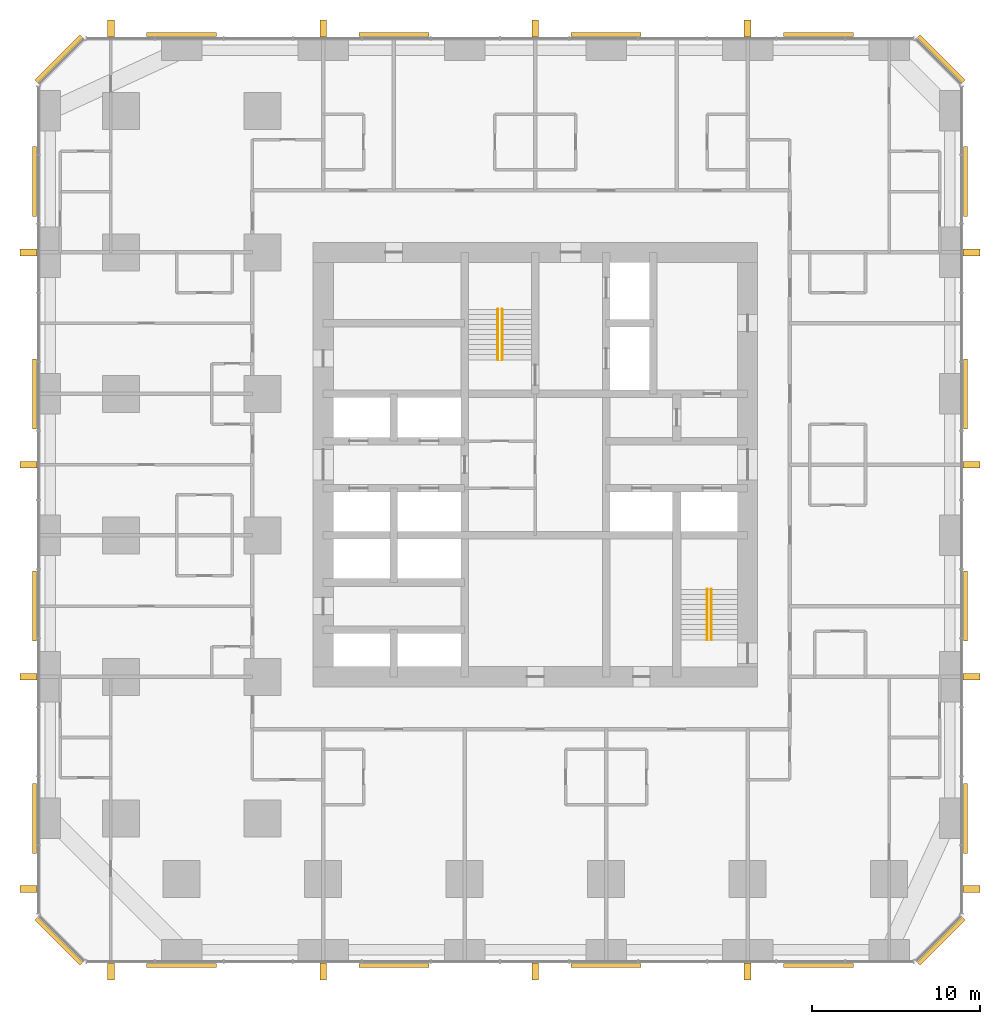
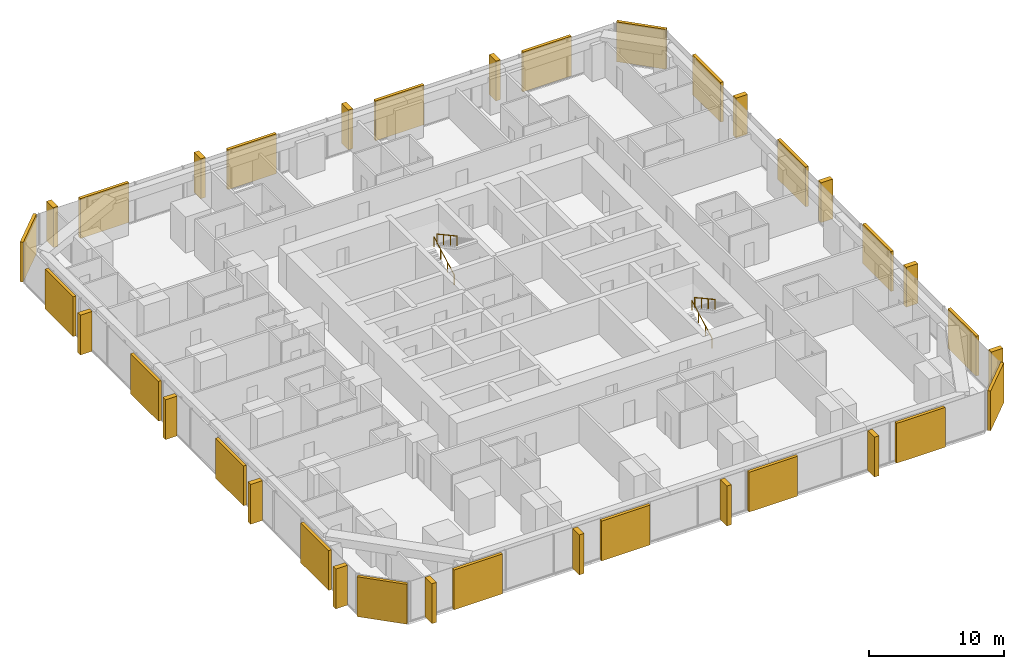
# One storey, part 13 of 13: 20 coverings, 16 shading devices, 4 railings.
"""IFC4 building model written with IfcOpenShell, lengths in metres."""

from ifc_helpers import new_model, si_unit, direction, frame, origin, origin_2d, place, context, subcontext, project, spatial, rectangle, circle, extrude, material, layer, layer_set, type_object, element, save


model = new_model("IFC4")

# Units and contexts
model_context = context("Model", 3, precision=1e-05, world=origin(), true_north=direction((0.0, 1.0)))
body_context = subcontext(model_context, "Body", "Model", "MODEL_VIEW")
ifc_project = project(units=[si_unit("LENGTHUNIT", "METRE"), si_unit("AREAUNIT", "SQUARE_METRE"), si_unit("VOLUMEUNIT", "CUBIC_METRE"), si_unit("PLANEANGLEUNIT", "RADIAN"), si_unit("MASSUNIT", "GRAM", prefix="KILO")], contexts=[model_context])

# Site, building, storey
site_placement = place(None, origin())
site = spatial("IfcSite", under=ifc_project, at=site_placement, CompositionType="ELEMENT")
building_placement = place(site_placement, origin())
building = spatial("IfcBuilding", under=site, at=building_placement, Name="Dunama Terrace Hotel", CompositionType="ELEMENT")
storey_placement = place(building_placement, frame((0.0, 0.0, 97.199951171875)))
storey = spatial("IfcBuildingStorey", under=building, at=storey_placement, Name="L24", CompositionType="ELEMENT", Elevation=97.199951171875)

# Railings
ifc_material_1 = material(Name="Stainless steel handrail", Category="steel")
railing_type = type_object("IfcRailingType", Name="Stair handrail 900", PredefinedType="HANDRAIL", material=ifc_material_1)
railing_1_placement = place(storey_placement, frame((27.175048828125, 35.625, 0.16357421875)))
element("IfcRailing", 1, at=railing_1_placement, inside=storey, type_object=railing_type, Name="Handrail ST1 L24", PredefinedType="HANDRAIL", context=body_context, shape_type="SweptSolid", body=[
    extrude(circle(Radius=0.02392578125, at=origin_2d()), frame((0.0, 0.0, 0.8759765625), z_axis=(0.0, 0.877881921179, 0.478877158013), x_axis=(-1.0, 0.0, 0.0)), (0.0, 0.0, 1.0), 3.417236328125),
    extrude(circle(Radius=0.02099609375, at=origin_2d()), origin(), (0.0, 0.0, 1.0), 0.851806640625),
    extrude(circle(Radius=0.02099609375, at=origin_2d()), frame((0.0, 1.0, 0.54541015625)), (0.0, 0.0, 1.0), 0.851806640625),
    extrude(circle(Radius=0.02099609375, at=origin_2d()), frame((0.0, 2.0, 1.091064453125)), (0.0, 0.0, 1.0), 0.851806640625),
    extrude(circle(Radius=0.02099609375, at=origin_2d()), frame((0.0, 3.0, 1.636474609375)), (0.0, 0.0, 1.0), 0.851806640625),
])
railing_2_placement = place(storey_placement, frame((27.425048828125, 38.625, 1.963623046875)))
element("IfcRailing", 2, at=railing_2_placement, inside=storey, type_object=railing_type, Name="Handrail ST1 L24", PredefinedType="HANDRAIL", context=body_context, shape_type="SweptSolid", body=[
    extrude(circle(Radius=0.02392578125, at=origin_2d()), frame((0.0, 0.0, 0.8759765625), z_axis=(0.0, -0.877881921179, 0.478877158013), x_axis=(1.0, 0.0, 0.0)), (0.0, 0.0, 1.0), 3.417236328125),
    extrude(circle(Radius=0.02099609375, at=origin_2d()), origin(), (0.0, 0.0, 1.0), 0.851806640625),
    extrude(circle(Radius=0.02099609375, at=origin_2d()), frame((0.0, -1.0, 0.54541015625)), (0.0, 0.0, 1.0), 0.851806640625),
    extrude(circle(Radius=0.02099609375, at=origin_2d()), frame((0.0, -2.0, 1.091064453125)), (0.0, 0.0, 1.0), 0.851806640625),
    extrude(circle(Radius=0.02099609375, at=origin_2d()), frame((0.0, -3.0, 1.636474609375)), (0.0, 0.0, 1.0), 0.851806640625),
])
railing_3_placement = place(storey_placement, frame((39.60009765625, 19.0, 0.16357421875)))
element("IfcRailing", 3, at=railing_3_placement, inside=storey, type_object=railing_type, Name="Handrail ST2 L24", PredefinedType="HANDRAIL", context=body_context, shape_type="SweptSolid", body=[
    extrude(circle(Radius=0.02392578125, at=origin_2d()), frame((0.0, 0.0, 0.8759765625), z_axis=(0.0, 0.877881921179, 0.478877158013), x_axis=(-1.0, 0.0, 0.0)), (0.0, 0.0, 1.0), 3.417236328125),
    extrude(circle(Radius=0.02099609375, at=origin_2d()), origin(), (0.0, 0.0, 1.0), 0.851806640625),
    extrude(circle(Radius=0.02099609375, at=origin_2d()), frame((0.0, 1.0, 0.54541015625)), (0.0, 0.0, 1.0), 0.851806640625),
    extrude(circle(Radius=0.02099609375, at=origin_2d()), frame((0.0, 2.0, 1.091064453125)), (0.0, 0.0, 1.0), 0.851806640625),
    extrude(circle(Radius=0.02099609375, at=origin_2d()), frame((0.0, 3.0, 1.636474609375)), (0.0, 0.0, 1.0), 0.851806640625),
])
railing_4_placement = place(storey_placement, frame((39.85009765625, 22.0, 1.963623046875)))
element("IfcRailing", 4, at=railing_4_placement, inside=storey, type_object=railing_type, Name="Handrail ST2 L24", PredefinedType="HANDRAIL", context=body_context, shape_type="SweptSolid", body=[
    extrude(circle(Radius=0.02392578125, at=origin_2d()), frame((0.0, 0.0, 0.8759765625), z_axis=(0.0, -0.877881921179, 0.478877158013), x_axis=(1.0, 0.0, 0.0)), (0.0, 0.0, 1.0), 3.417236328125),
    extrude(circle(Radius=0.02099609375, at=origin_2d()), origin(), (0.0, 0.0, 1.0), 0.851806640625),
    extrude(circle(Radius=0.02099609375, at=origin_2d()), frame((0.0, -1.0, 0.54541015625)), (0.0, 0.0, 1.0), 0.851806640625),
    extrude(circle(Radius=0.02099609375, at=origin_2d()), frame((0.0, -2.0, 1.091064453125)), (0.0, 0.0, 1.0), 0.851806640625),
    extrude(circle(Radius=0.02099609375, at=origin_2d()), frame((0.0, -3.0, 1.636474609375)), (0.0, 0.0, 1.0), 0.851806640625),
])

# Coverings
ifc_material_2 = material(Name="Warm reconstituted stone panel", Category="masonry")
ifc_layer_1 = layer(ifc_material_2, 0.25)
ifc_layer_set_1 = layer_set([ifc_layer_1], Name="Stone diagonal panel")
covering_type = type_object("IfcCoveringType", Name="Stone diagonal panel", PredefinedType="CLADDING", material=ifc_layer_set_1)
for number, where, z_axis, x_axis, name in (
    (5, (8.39990234375, -0.343017578125, 0.001953125), (0.0, 0.0, 1.0), (1.0, 0.0, 0.0), "Stone diagonal panel L24"),
    (6, (21.0, -0.343017578125, 0.001953125), (0.0, 0.0, 1.0), (1.0, 0.0, 0.0), "Stone diagonal panel L24"),
    (7, (33.60009765625, -0.343017578125, 0.001953125), (0.0, 0.0, 1.0), (1.0, 0.0, 0.0), "Stone diagonal panel L24"),
    (8, (46.199951171875, -0.343017578125, 0.001953125), (0.0, 0.0, 1.0), (1.0, 0.0, 0.0), "Stone diagonal panel L24"),
):
    element("IfcCovering", number, at=place(storey_placement, frame(where, z_axis=z_axis, x_axis=x_axis)), inside=storey, type_object=covering_type, Name=name, PredefinedType="CLADDING", context=body_context, shape_type="SweptSolid", body=[
        extrude(rectangle(XDim=4.14990234375, YDim=0.25, at=origin_2d()), origin(), (0.0, 0.0, 1.0), 3.595947265625),
    ])
covering_1_placement = place(storey_placement, frame((53.492919921875, 1.10693359375, 0.001953125), z_axis=(0.0, 0.0, 1.0), x_axis=(0.707106781187, 0.707106781187, 0.0)))
element("IfcCovering", 9, at=covering_1_placement, inside=storey, type_object=covering_type, Name="Stone diagonal panel L24", PredefinedType="CLADDING", context=body_context, shape_type="SweptSolid", body=[
    extrude(rectangle(XDim=3.808349609375, YDim=0.25, at=origin_2d()), origin(), (0.0, 0.0, 1.0), 3.595947265625),
])
for number, where, z_axis, x_axis, name in (
    (10, (54.943115234375, 8.39990234375, 0.001953125), (0.0, 0.0, 1.0), (0.0, 1.0, 0.0), "Stone diagonal panel L24"),
    (11, (54.943115234375, 21.0, 0.001953125), (0.0, 0.0, 1.0), (0.0, 1.0, 0.0), "Stone diagonal panel L24"),
    (12, (54.943115234375, 33.60009765625, 0.001953125), (0.0, 0.0, 1.0), (0.0, 1.0, 0.0), "Stone diagonal panel L24"),
    (13, (54.943115234375, 46.199951171875, 0.001953125), (0.0, 0.0, 1.0), (0.0, 1.0, 0.0), "Stone diagonal panel L24"),
):
    element("IfcCovering", number, at=place(storey_placement, frame(where, z_axis=z_axis, x_axis=x_axis)), inside=storey, type_object=covering_type, Name=name, PredefinedType="CLADDING", context=body_context, shape_type="SweptSolid", body=[
        extrude(rectangle(XDim=4.14990234375, YDim=0.25, at=origin_2d()), origin(), (0.0, 0.0, 1.0), 3.595947265625),
    ])
covering_2_placement = place(storey_placement, frame((53.492919921875, 53.492919921875, 0.001953125), z_axis=(0.0, 0.0, 1.0), x_axis=(-0.707106781187, 0.707106781187, 0.0)))
element("IfcCovering", 14, at=covering_2_placement, inside=storey, type_object=covering_type, Name="Stone diagonal panel L24", PredefinedType="CLADDING", context=body_context, shape_type="SweptSolid", body=[
    extrude(rectangle(XDim=3.808349609375, YDim=0.25, at=origin_2d()), origin(), (0.0, 0.0, 1.0), 3.595947265625),
])
for number, where, z_axis, x_axis, name in (
    (15, (46.199951171875, 54.943115234375, 0.001953125), (0.0, 0.0, 1.0), (-1.0, 0.0, 0.0), "Stone diagonal panel L24"),
    (16, (33.60009765625, 54.943115234375, 0.001953125), (0.0, 0.0, 1.0), (-1.0, 0.0, 0.0), "Stone diagonal panel L24"),
    (17, (21.0, 54.943115234375, 0.001953125), (0.0, 0.0, 1.0), (-1.0, 0.0, 0.0), "Stone diagonal panel L24"),
    (18, (8.39990234375, 54.943115234375, 0.001953125), (0.0, 0.0, 1.0), (-1.0, 0.0, 0.0), "Stone diagonal panel L24"),
):
    element("IfcCovering", number, at=place(storey_placement, frame(where, z_axis=z_axis, x_axis=x_axis)), inside=storey, type_object=covering_type, Name=name, PredefinedType="CLADDING", context=body_context, shape_type="SweptSolid", body=[
        extrude(rectangle(XDim=4.14990234375, YDim=0.25, at=origin_2d()), origin(), (0.0, 0.0, 1.0), 3.595947265625),
    ])
covering_3_placement = place(storey_placement, frame((1.10693359375, 53.492919921875, 0.001953125), z_axis=(0.0, 0.0, 1.0), x_axis=(-0.707106781187, -0.707106781187, 0.0)))
element("IfcCovering", 19, at=covering_3_placement, inside=storey, type_object=covering_type, Name="Stone diagonal panel L24", PredefinedType="CLADDING", context=body_context, shape_type="SweptSolid", body=[
    extrude(rectangle(XDim=3.808349609375, YDim=0.25, at=origin_2d()), origin(), (0.0, 0.0, 1.0), 3.595947265625),
])
for number, where, z_axis, x_axis, name in (
    (20, (-0.343017578125, 46.199951171875, 0.001953125), (0.0, 0.0, 1.0), (0.0, -1.0, 0.0), "Stone diagonal panel L24"),
    (21, (-0.343017578125, 33.60009765625, 0.001953125), (0.0, 0.0, 1.0), (0.0, -1.0, 0.0), "Stone diagonal panel L24"),
    (22, (-0.343017578125, 21.0, 0.001953125), (0.0, 0.0, 1.0), (0.0, -1.0, 0.0), "Stone diagonal panel L24"),
    (23, (-0.343017578125, 8.39990234375, 0.001953125), (0.0, 0.0, 1.0), (0.0, -1.0, 0.0), "Stone diagonal panel L24"),
):
    element("IfcCovering", number, at=place(storey_placement, frame(where, z_axis=z_axis, x_axis=x_axis)), inside=storey, type_object=covering_type, Name=name, PredefinedType="CLADDING", context=body_context, shape_type="SweptSolid", body=[
        extrude(rectangle(XDim=4.14990234375, YDim=0.25, at=origin_2d()), origin(), (0.0, 0.0, 1.0), 3.595947265625),
    ])
covering_4_placement = place(storey_placement, frame((1.10693359375, 1.10693359375, 0.001953125), z_axis=(0.0, 0.0, 1.0), x_axis=(0.707106781187, -0.707106781187, 0.0)))
element("IfcCovering", 24, at=covering_4_placement, inside=storey, type_object=covering_type, Name="Stone diagonal panel L24", PredefinedType="CLADDING", context=body_context, shape_type="SweptSolid", body=[
    extrude(rectangle(XDim=3.808349609375, YDim=0.25, at=origin_2d()), origin(), (0.0, 0.0, 1.0), 3.595947265625),
])

# Shading devices
ifc_material_3 = material(Name="Warm reconstituted stone fin", Category="masonry")
ifc_layer_2 = layer(ifc_material_3, 0.39990234375)
ifc_layer_set_2 = layer_set([ifc_layer_2], Name="Warm stone fin 400x1000")
shading_device_type = type_object("IfcShadingDeviceType", Name="Warm stone fin 400x1000", PredefinedType="USERDEFINED", material=ifc_layer_set_2)
for number, where, z_axis, x_axis, name in (
    (25, (4.199951171875, -0.697998046875, 0.0), (0.0, 0.0, 1.0), (1.0, 0.0, 0.0), "Stone fin"),
    (26, (16.800048828125, -0.697998046875, 0.0), (0.0, 0.0, 1.0), (1.0, 0.0, 0.0), "Stone fin"),
    (27, (29.39990234375, -0.697998046875, 0.0), (0.0, 0.0, 1.0), (1.0, 0.0, 0.0), "Stone fin"),
    (28, (42.0, -0.697998046875, 0.0), (0.0, 0.0, 1.0), (1.0, 0.0, 0.0), "Stone fin"),
    (29, (55.298095703125, 4.199951171875, 0.0), (0.0, 0.0, 1.0), (0.0, 1.0, 0.0), "Stone fin"),
    (30, (55.298095703125, 16.800048828125, 0.0), (0.0, 0.0, 1.0), (0.0, 1.0, 0.0), "Stone fin"),
    (31, (55.298095703125, 29.39990234375, 0.0), (0.0, 0.0, 1.0), (0.0, 1.0, 0.0), "Stone fin"),
    (32, (55.298095703125, 42.0, 0.0), (0.0, 0.0, 1.0), (0.0, 1.0, 0.0), "Stone fin"),
    (33, (42.0, 55.298095703125, 0.0), (0.0, 0.0, 1.0), (-1.0, 0.0, 0.0), "Stone fin"),
    (34, (29.39990234375, 55.298095703125, 0.0), (0.0, 0.0, 1.0), (-1.0, 0.0, 0.0), "Stone fin"),
    (35, (16.800048828125, 55.298095703125, 0.0), (0.0, 0.0, 1.0), (-1.0, 0.0, 0.0), "Stone fin"),
    (36, (4.199951171875, 55.298095703125, 0.0), (0.0, 0.0, 1.0), (-1.0, 0.0, 0.0), "Stone fin"),
    (37, (-0.697998046875, 42.0, 0.0), (0.0, 0.0, 1.0), (0.0, -1.0, 0.0), "Stone fin"),
    (38, (-0.697998046875, 29.39990234375, 0.0), (0.0, 0.0, 1.0), (0.0, -1.0, 0.0), "Stone fin"),
    (39, (-0.697998046875, 16.800048828125, 0.0), (0.0, 0.0, 1.0), (0.0, -1.0, 0.0), "Stone fin"),
    (40, (-0.697998046875, 4.199951171875, 0.0), (0.0, 0.0, 1.0), (0.0, -1.0, 0.0), "Stone fin"),
):
    element("IfcShadingDevice", number, at=place(storey_placement, frame(where, z_axis=z_axis, x_axis=x_axis)), inside=storey, type_object=shading_device_type, Name=name, ObjectType="FIN", PredefinedType="USERDEFINED", context=body_context, shape_type="SweptSolid", body=[
        extrude(rectangle(XDim=0.39990234375, YDim=1.0, at=origin_2d()), origin(), (0.0, 0.0, 1.0), 3.60009765625),
    ])

save(model, "model.ifc")
